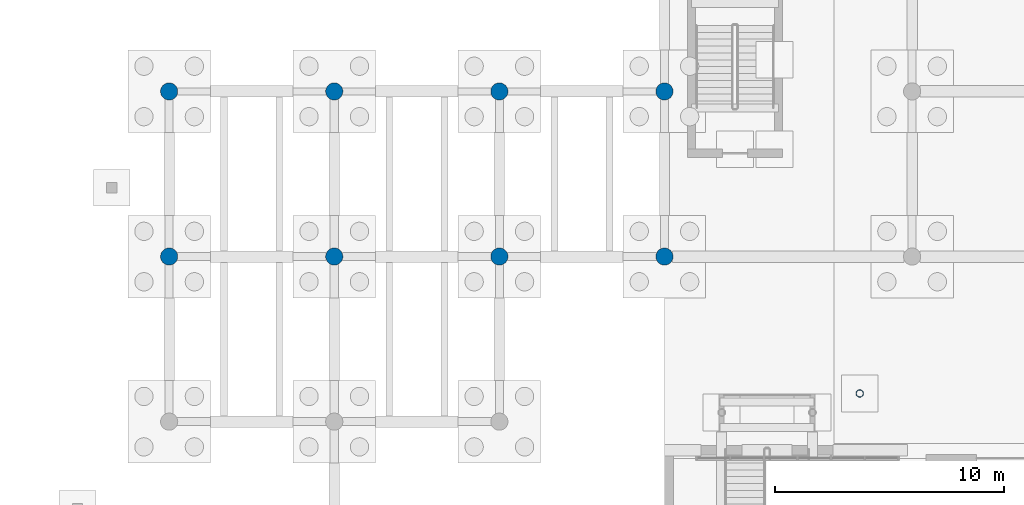
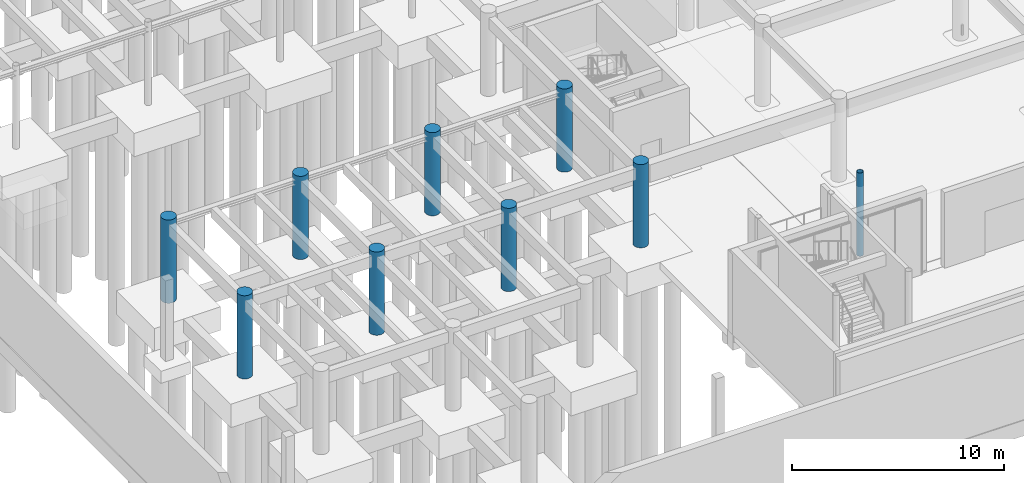
# One storey, part 11 of 46: 9 columns.
"""IFC4 building model written with IfcOpenShell, lengths in metres."""

from ifc_helpers import new_model, si_unit, direction, frame, origin, origin_2d, place, context, subcontext, project, spatial, circle, hollow_circle, extrude, material, material_profile, profile_set, type_object, element, save


model = new_model("IFC4")

# Units and contexts
model_context = context("Model", 3, precision=1e-05, world=origin(), true_north=direction((0.0, 1.0)))
body_context = subcontext(model_context, "Body", "Model", "MODEL_VIEW")
ifc_project = project(units=[si_unit("LENGTHUNIT", "METRE"), si_unit("AREAUNIT", "SQUARE_METRE"), si_unit("VOLUMEUNIT", "CUBIC_METRE"), si_unit("PLANEANGLEUNIT", "RADIAN"), si_unit("MASSUNIT", "GRAM", prefix="KILO")], contexts=[model_context])

# Site, building, storey
site_placement = place(None, origin())
site = spatial("IfcSite", under=ifc_project, at=site_placement, CompositionType="ELEMENT")
building_placement = place(site_placement, origin())
building = spatial("IfcBuilding", under=site, at=building_placement, Name="Tazoul Stagehouse", CompositionType="ELEMENT")
storey_placement = place(building_placement, frame((0.0, 0.0, -4.800048828125)))
storey = spatial("IfcBuildingStorey", under=building, at=storey_placement, Name="B1", CompositionType="ELEMENT", Elevation=-4.800048828125)

# Columns
ifc_material_1 = material(Name="Concrete C40/50", Category="concrete")
ifc_material_profile_1 = material_profile(ifc_material_1, circle(Radius=0.375, at=origin_2d()), Name="RC D750")
ifc_profile_set_1 = profile_set([ifc_material_profile_1], Name="Concrete C40/50")
column_type_1 = type_object("IfcColumnType", Name="RC Circular Column D750 (Exterior)", PredefinedType="COLUMN", material=ifc_profile_set_1)
for number, where, z_axis, x_axis, name in (
    (1, (36.0, 23.0, 0.0), (0.0, 0.0, 1.0), (1.0, 0.0, 0.0), "B1 Column C-08E at 5/D"),
    (2, (36.0, 30.199951171875, 0.0), (0.0, 0.0, 1.0), (1.0, 0.0, 0.0), "B1 Column C-08E at 5/E"),
    (3, (43.199951171875, 23.0, 0.0), (0.0, 0.0, 1.0), (1.0, 0.0, 0.0), "B1 Column C-08E at 6/D"),
    (4, (43.199951171875, 30.199951171875, 0.0), (0.0, 0.0, 1.0), (1.0, 0.0, 0.0), "B1 Column C-08E at 6/E"),
    (5, (50.39990234375, 23.0, 0.0), (0.0, 0.0, 1.0), (1.0, 0.0, 0.0), "B1 Column C-08E at 7/D"),
    (6, (50.39990234375, 30.199951171875, 0.0), (0.0, 0.0, 1.0), (1.0, 0.0, 0.0), "B1 Column C-08E at 7/E"),
    (7, (57.60009765625, 23.0, 0.0), (0.0, 0.0, 1.0), (1.0, 0.0, 0.0), "B1 Column C-08E at 8/D"),
    (8, (57.60009765625, 30.199951171875, 0.0), (0.0, 0.0, 1.0), (1.0, 0.0, 0.0), "B1 Column C-08E at 8/E"),
):
    element("IfcColumn", number, at=place(storey_placement, frame(where, z_axis=z_axis, x_axis=x_axis)), inside=storey, type_object=column_type_1, Name=name, PredefinedType="COLUMN", context=body_context, shape_type="SweptSolid", body=[
        extrude(circle(Radius=0.375, at=origin_2d()), origin(), (0.0, 0.0, 1.0), 4.800048828125),
    ])
ifc_material_2 = material(Name="Steel S355", Category="steel")
ifc_material_profile_2 = material_profile(ifc_material_2, hollow_circle(Radius=0.161865234375, WallThickness=0.012451171875, at=origin_2d()), Name="CHS 323.9x12.5")
ifc_profile_set_2 = profile_set([ifc_material_profile_2], Name="Steel S355")
column_type_2 = type_object("IfcColumnType", Name="Steel Arcade Column CHS 323.9x12.5", PredefinedType="COLUMN", material=ifc_profile_set_2)
column_placement = place(storey_placement, frame((66.115234375, 17.030029296875, 0.0), z_axis=(0.0, 0.0, 1.0), x_axis=(1.0, 0.0, 0.0)))
element("IfcColumn", 9, at=column_placement, inside=storey, type_object=column_type_2, Name="B1 Entrance Canopy Substructure Column SC-07 (1)", PredefinedType="COLUMN", context=body_context, shape_type="SweptSolid", body=[
    extrude(hollow_circle(Radius=0.161865234375, WallThickness=0.012451171875, at=origin_2d()), origin(), (0.0, 0.0, 1.0), 4.800048828125),
])

save(model, "model.ifc")
